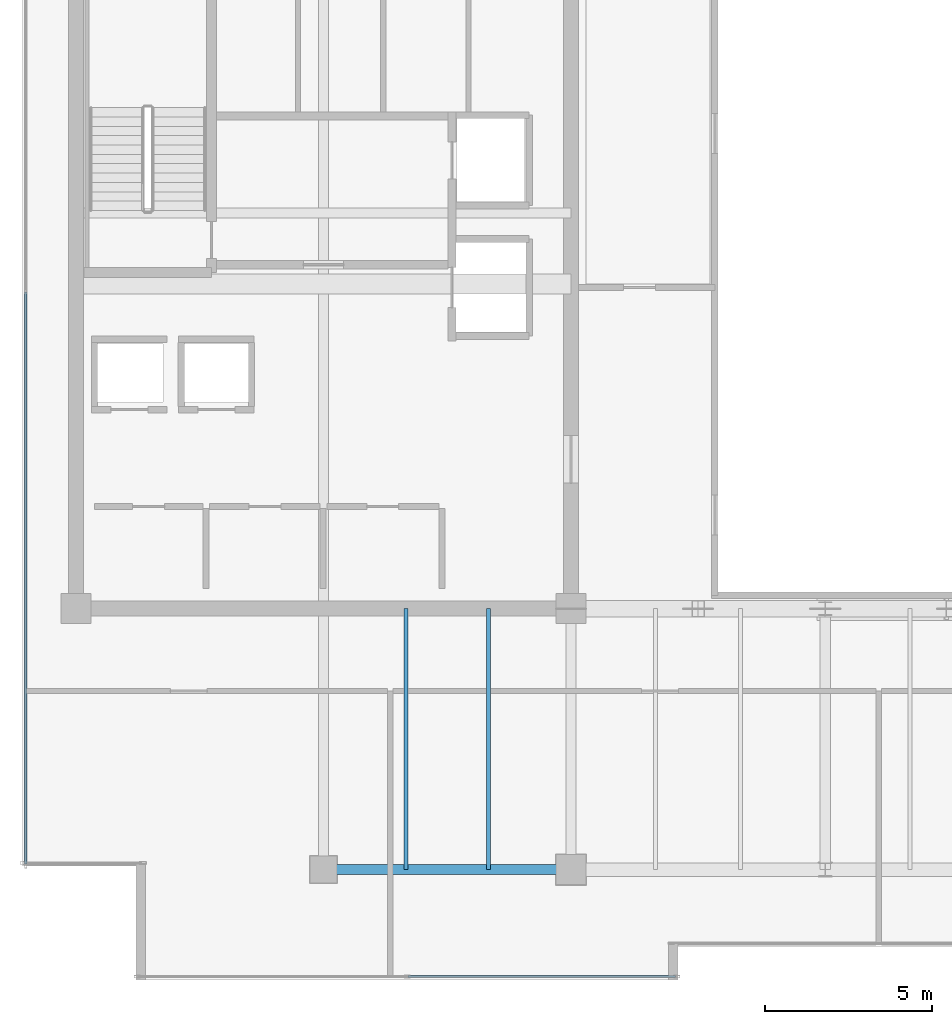
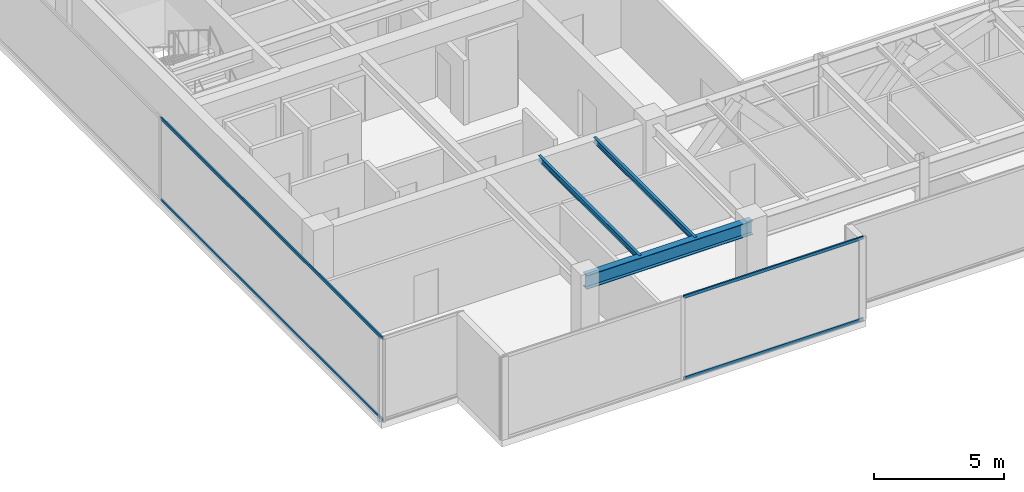
# One storey, part 5 of 32: 4 members, 3 beams, 2 elements without a shape of their own.
"""IFC4 building model written with IfcOpenShell, lengths in metres."""

import ifcopenshell
import ifcopenshell.guid

model = None  # the IFC model being written
_history = None  # IfcOwnerHistory: only IFC2X3 demands one
_inside = {}  # id of a spatial element -> (the spatial element, [elements in it])
_under = {}  # id of a project, library or spatial element -> (it, [spatial elements below it])
_declared = {}  # id of a project -> (the project, [libraries it declares])
_typed = {}  # id of a type object -> (the type object, [elements of that type])
_made_of = {}  # id of a material, layer set ... -> (it, [elements and type objects made of it])


def new_model(schema):
    """Start an empty IFC model of exactly this schema.

    Asked for "IFC4X3", IfcOpenShell would pick the latest addendum, in which some entities
    have other attributes; the version numbers below select the first issue.
    IFC2X3 requires an IfcOwnerHistory on every rooted entity: one is made here for all.
    """
    global model, _history
    if schema == "IFC4X3":
        model = ifcopenshell.file(schema_version=(4, 3, 0, 0))
    else:
        model = ifcopenshell.file(schema=schema)
    _inside.clear()
    _under.clear()
    _declared.clear()
    _typed.clear()
    _made_of.clear()
    _history = None
    if model.schema == "IFC2X3":
        org = make("IfcOrganization", Name="unknown")
        user = make(
            "IfcPersonAndOrganization",
            ThePerson=make("IfcPerson", FamilyName="unknown"),
            TheOrganization=org,
        )
        app = make(
            "IfcApplication",
            ApplicationDeveloper=org,
            Version="unknown",
            ApplicationFullName="unknown",
            ApplicationIdentifier="unknown",
        )
        _history = make(
            "IfcOwnerHistory",
            OwningUser=user,
            OwningApplication=app,
            ChangeAction="ADDED",
            CreationDate=0,
        )
    return model


def make(cls, **values):
    """One entity of the class cls with the attributes given. An attribute that is None is left unset."""
    return model.create_entity(
        cls, **{name: value for name, value in values.items() if value is not None}
    )


def rooted(cls, **values):
    """An entity with a GlobalId (a new one), such as an element, a storey or a relation."""
    return make(cls, GlobalId=ifcopenshell.guid.new(), OwnerHistory=_history, **values)


def si_unit(unit_type, name, prefix=None):
    """IfcSIUnit, for example si_unit("LENGTHUNIT", "METRE", prefix="MILLI")."""
    return make("IfcSIUnit", UnitType=unit_type, Prefix=prefix, Name=name)


def assignment(units):
    """IfcUnitAssignment: the units of a project."""
    return None if units is None else make("IfcUnitAssignment", Units=units)


def point(xyz):
    """IfcCartesianPoint."""
    return None if xyz is None else make("IfcCartesianPoint", Coordinates=xyz)


def direction(xyz):
    """IfcDirection."""
    return None if xyz is None else make("IfcDirection", DirectionRatios=xyz)


def frame(location, z_axis=None, x_axis=None):
    """IfcAxis2Placement3D, a coordinate frame: its origin and axes. An axis left out is left unset."""
    return make(
        "IfcAxis2Placement3D",
        Location=point(location),
        Axis=direction(z_axis),
        RefDirection=direction(x_axis),
    )


def frame_2d(location, x_axis=None):
    """IfcAxis2Placement2D, a coordinate frame in the plane: its origin and x axis."""
    return make(
        "IfcAxis2Placement2D", Location=point(location), RefDirection=direction(x_axis)
    )


def origin():
    """The frame at (0, 0, 0) with its axes left unset."""
    return frame((0.0, 0.0, 0.0))


def origin_2d():
    """The frame at (0, 0) in the plane with its x axis left unset."""
    return frame_2d((0.0, 0.0))


def place(relative_to, where):
    """IfcLocalPlacement: puts the frame where relative to a parent placement (None: the world)."""
    return make(
        "IfcLocalPlacement", PlacementRelTo=relative_to, RelativePlacement=where
    )


def context(
    kind, dimensions, precision=None, world=None, true_north=None, identifier=None
):
    """IfcGeometricRepresentationContext, for example the 3D "Model" context."""
    return make(
        "IfcGeometricRepresentationContext",
        ContextIdentifier=identifier,
        ContextType=kind,
        CoordinateSpaceDimension=dimensions,
        Precision=precision,
        WorldCoordinateSystem=world,
        TrueNorth=true_north,
    )


def subcontext(parent, identifier, kind, view, scale=None):
    """IfcGeometricRepresentationSubContext, for example "Body" below "Model"."""
    return make(
        "IfcGeometricRepresentationSubContext",
        ContextIdentifier=identifier,
        ContextType=kind,
        ParentContext=parent,
        TargetScale=scale,
        TargetView=view,
    )


def project(units=None, contexts=None):
    """IfcProject with its units and contexts."""
    return rooted(
        "IfcProject",
        Name="project",
        RepresentationContexts=contexts,
        UnitsInContext=assignment(units),
    )


def spatial(cls, under=None, at=None, **own):
    """A site, building, storey or space (cls), placed at a placement, below another one or the project."""
    s = rooted(cls, ObjectPlacement=at, **own)
    if under is not None:
        _under.setdefault(under.id(), (under, []))[1].append(s)
    return s


def profile(cls, at=None, kind="AREA", **sizes):
    """A parametric profile (cls). Its sizes go by their IFC names, for example OverallWidth=200.0."""
    return make(cls, ProfileType=kind, Position=at, **sizes)


def hollow_rectangle(**sizes):
    """IfcRectangleHollowProfileDef."""
    return profile("IfcRectangleHollowProfileDef", **sizes)


def i_section(**sizes):
    """IfcIShapeProfileDef."""
    return profile("IfcIShapeProfileDef", **sizes)


def extrude(swept, where, along, depth):
    """IfcExtrudedAreaSolid: the profile swept, set in the frame where, extruded along a direction by depth."""
    return make(
        "IfcExtrudedAreaSolid",
        SweptArea=swept,
        Position=where,
        ExtrudedDirection=direction(along),
        Depth=depth,
    )


def shape(context_of_items, identifier, shape_type, items):
    """IfcShapeRepresentation: the items that make up one representation, for example the "Body"."""
    return make(
        "IfcShapeRepresentation",
        ContextOfItems=context_of_items,
        RepresentationIdentifier=identifier,
        RepresentationType=shape_type,
        Items=items,
    )


def source(mapping_origin, context_of_items, identifier, shape_type, items):
    """IfcRepresentationMap: a shape defined once, which mapped items show again and again."""
    return make(
        "IfcRepresentationMap",
        MappingOrigin=mapping_origin,
        MappedRepresentation=shape(context_of_items, identifier, shape_type, items),
    )


def transform(
    local_origin,
    x_axis=None,
    y_axis=None,
    z_axis=None,
    scale=None,
    scale2=None,
    scale3=None,
    uniform=True,
):
    """IfcCartesianTransformationOperator3D, or its non-uniform kind. x_axis, y_axis, z_axis: its Axis1, 2, 3."""
    if uniform:
        return make(
            "IfcCartesianTransformationOperator3D",
            Axis1=direction(x_axis),
            Axis2=direction(y_axis),
            LocalOrigin=point(local_origin),
            Scale=scale,
            Axis3=direction(z_axis),
        )
    return make(
        "IfcCartesianTransformationOperator3DnonUniform",
        Axis1=direction(x_axis),
        Axis2=direction(y_axis),
        LocalOrigin=point(local_origin),
        Scale=scale,
        Axis3=direction(z_axis),
        Scale2=scale2,
        Scale3=scale3,
    )


def mapped(mapping_source, mapping_target):
    """IfcMappedItem: shows the shape of a source again, moved by a transform."""
    return make(
        "IfcMappedItem", MappingSource=mapping_source, MappingTarget=mapping_target
    )


def material(Name=None, Category=None):
    """IfcMaterial."""
    return make("IfcMaterial", Name=Name, Category=Category)


def layer(
    of_material, thickness, ventilated=None, Name=None, Category=None, Priority=None
):
    """IfcMaterialLayer: one layer of a wall or slab, of a material (None: an air gap)."""
    return make(
        "IfcMaterialLayer",
        Material=of_material,
        LayerThickness=thickness,
        IsVentilated=ventilated,
        Name=Name,
        Category=Category,
        Priority=Priority,
    )


def layer_set(layers, Name=None):
    """IfcMaterialLayerSet."""
    return make("IfcMaterialLayerSet", MaterialLayers=layers, LayerSetName=Name)


def material_profile(
    of_material, cross_section, Name=None, Category=None, Priority=None
):
    """IfcMaterialProfile: a cross section and its material."""
    return make(
        "IfcMaterialProfile",
        Name=Name,
        Material=of_material,
        Profile=cross_section,
        Priority=Priority,
        Category=Category,
    )


def profile_set(profiles, Name=None, composite=None):
    """IfcMaterialProfileSet."""
    return make(
        "IfcMaterialProfileSet",
        Name=Name,
        MaterialProfiles=profiles,
        CompositeProfile=composite,
    )


def made_of(thing, what):
    """Note that an element or type object is made of a material, layer set ...; save() writes the relation."""
    if what is not None:
        _made_of.setdefault(what.id(), (what, []))[1].append(thing)
    return thing


def type_object(cls, material=None, **own):
    """A type object (cls), such as IfcWallType, which elements share."""
    return made_of(rooted(cls, **own), material)


def type_shapes(of_type, sources):
    """Give a type object the sources (RepresentationMaps) that its elements show as mapped items."""
    of_type.RepresentationMaps = sources


def element(
    cls,
    number,
    at=None,
    inside=None,
    cuts=None,
    type_object=None,
    material=None,
    context=None,
    identifier="Body",
    shape_type=None,
    held_by="IfcProductDefinitionShape",
    body=None,
    shapes=None,
    **own,
):
    """One element of the class cls, such as IfcWall. Its Tag is "e" and its number.

    at: its placement. inside: the storey or other place that contains it. cuts: it is an
    opening in that element (IfcRelVoidsElement). A single representation is given by context,
    identifier, shape_type and body (its items); several are given by shapes. held_by: the class
    of the entity that holds the representations. save() writes the other relations.
    """
    e = rooted(cls, Tag="e%d" % number, ObjectPlacement=at, **own)
    if body is not None:
        shapes = [shape(context, identifier, shape_type, body)]
    if shapes is not None:
        e.Representation = make(held_by, Representations=shapes)
    if inside is not None:
        _inside.setdefault(inside.id(), (inside, []))[1].append(e)
    if cuts is not None:
        rooted(
            "IfcRelVoidsElement", RelatingBuildingElement=cuts, RelatedOpeningElement=e
        )
    if type_object is not None:
        _typed.setdefault(type_object.id(), (type_object, []))[1].append(e)
    return made_of(e, material)


def aggregate(whole, parts):
    """IfcRelAggregates: a whole, such as a stair, and the parts it consists of."""
    return rooted("IfcRelAggregates", RelatingObject=whole, RelatedObjects=parts)


def save(model, path):
    """Write the relations noted so far, then the file.

    IfcRelAggregates (storeys below a building ...), IfcRelContainedInSpatialStructure (elements
    in a storey), IfcRelDefinesByType, IfcRelAssociatesMaterial and IfcRelDeclares: one each for
    every whole, place, type object, material and project.
    """
    for whole, parts in _under.values():
        aggregate(whole, parts)
    for where, things in _inside.values():
        rooted(
            "IfcRelContainedInSpatialStructure",
            RelatedElements=things,
            RelatingStructure=where,
        )
    for kind, things in _typed.values():
        rooted("IfcRelDefinesByType", RelatedObjects=things, RelatingType=kind)
    for what, things in _made_of.values():
        rooted("IfcRelAssociatesMaterial", RelatedObjects=things, RelatingMaterial=what)
    for by, libraries in _declared.values():
        rooted("IfcRelDeclares", RelatingContext=by, RelatedDefinitions=libraries)
    model.write(path)


model = new_model("IFC4")

# Units and contexts
model_context = context("Model", 3, precision=1e-05, world=origin(), true_north=direction((0.0, 1.0)))
body_context = subcontext(model_context, "Body", "Model", "MODEL_VIEW")
ifc_project = project(units=[si_unit("LENGTHUNIT", "METRE"), si_unit("AREAUNIT", "SQUARE_METRE"), si_unit("VOLUMEUNIT", "CUBIC_METRE"), si_unit("PLANEANGLEUNIT", "RADIAN"), si_unit("MASSUNIT", "GRAM", prefix="KILO")], contexts=[model_context])

# Site, building, storey
site_placement = place(None, origin())
site = spatial("IfcSite", under=ifc_project, at=site_placement, CompositionType="ELEMENT")
building_placement = place(site_placement, origin())
building = spatial("IfcBuilding", under=site, at=building_placement, Name="Haelvirn Gate Laboratories", CompositionType="ELEMENT")
storey_placement = place(building_placement, frame((0.0, 0.0, 314.39990234375)))
storey = spatial("IfcBuildingStorey", under=building, at=storey_placement, Name="L75", CompositionType="ELEMENT", Elevation=314.39990234375)

# Beams
ifc_material_1 = material(Name="Steel SM355", Category="steel")
ifc_material_profile_1 = material_profile(ifc_material_1, i_section(OverallWidth=0.300048828125, OverallDepth=0.64990234375, WebThickness=0.012939453125, FlangeThickness=0.02197265625, at=origin_2d()), Name="H-650x300x13x22")
ifc_profile_set_1 = profile_set([ifc_material_profile_1], Name="Steel SM355")
beam_type_1 = type_object("IfcBeamType", Name="BM-G-650", PredefinedType="BEAM", material=ifc_profile_set_1)
shared_shape_1 = source(origin(), body_context, "Body", "SweptSolid", [
    extrude(i_section(OverallWidth=0.300048828125, OverallDepth=0.64990234375, WebThickness=0.012939453125, FlangeThickness=0.02197265625, at=origin_2d()), origin(), (0.0, 0.0, 1.0), 7.39990234375),
])
type_shapes(beam_type_1, [shared_shape_1])
beam_placement = place(storey_placement, frame((14.800048828125, 7.0, 3.5751953125), z_axis=(1.0, 0.0, 0.0), x_axis=(0.0, 1.0, 0.0)))
element("IfcBeam", 1, at=beam_placement, inside=storey, type_object=beam_type_1, Name="L75 Primary Girder Y7.0 (14.8-22.2)", PredefinedType="BEAM", context=body_context, shape_type="MappedRepresentation", body=[
    mapped(shared_shape_1, transform((0.0, 0.0, 0.0), scale=1.0)),
])
ifc_material_profile_2 = material_profile(ifc_material_1, i_section(OverallWidth=0.125, OverallDepth=0.25, WebThickness=0.006103515625, FlangeThickness=0.009033203125, at=origin_2d()), Name="H-250x125x6x9")
ifc_profile_set_2 = profile_set([ifc_material_profile_2], Name="Steel SM355")
beam_type_2 = type_object("IfcBeamType", Name="BM-J-250", PredefinedType="JOIST", material=ifc_profile_set_2)
shared_shape_2 = source(origin(), body_context, "Body", "SweptSolid", [
    extrude(i_section(OverallWidth=0.125, OverallDepth=0.25, WebThickness=0.006103515625, FlangeThickness=0.009033203125, at=origin_2d()), origin(), (0.0, 0.0, 1.0), 7.800048828125),
])
type_shapes(beam_type_2, [shared_shape_2])
for number, where, z_axis, x_axis, name in (
    (2, (17.27001953125, 7.0, 3.775146484375), (0.0, 1.0, 0.0), (-1.0, 0.0, 0.0), "L75 Composite Lab Joist South X17.27"),
    (3, (19.72998046875, 7.0, 3.775146484375), (0.0, 1.0, 0.0), (-1.0, 0.0, 0.0), "L75 Composite Lab Joist South X19.73"),
):
    element("IfcBeam", number, at=place(storey_placement, frame(where, z_axis=z_axis, x_axis=x_axis)), inside=storey, type_object=beam_type_2, Name=name, PredefinedType="JOIST", context=body_context, shape_type="MappedRepresentation", body=[
        mapped(shared_shape_2, transform((0.0, 0.0, 0.0), scale=1.0)),
    ])

# Curtain wall, members
ifc_material_2 = material(Name="Anodised bronze unitised aluminium & triple low-E glass", Category="aluminium")
ifc_layer = layer(ifc_material_2, 0.176025390625, Name="CW-SYS-4")
ifc_layer_set = layer_set([ifc_layer], Name="Anodised bronze unitised aluminium & triple low-E glass")
curtain_wall_type = type_object("IfcCurtainWallType", Name="CW-SYS-4", PredefinedType="NOTDEFINED", material=ifc_layer_set)
curtain_wall_1_placement = place(storey_placement, origin())
curtain_wall_1 = element("IfcCurtainWall", 4, at=curtain_wall_1_placement, inside=storey, type_object=curtain_wall_type, Name="L75 Unitised Curtain Wall CW-L75-P0-E17", PredefinedType="NOTDEFINED")
ifc_material_3 = material(Name="Extruded aluminium 6063-T6 (anodised bronze)", Category="aluminium")
ifc_material_profile_3 = material_profile(ifc_material_3, hollow_rectangle(XDim=0.06494140625, YDim=0.139892578125, WallThickness=0.00390625, at=origin_2d()), Name="CWT-140x65x4")
ifc_profile_set_3 = profile_set([ifc_material_profile_3], Name="Extruded aluminium 6063-T6 (anodised bronze)")
member_type = type_object("IfcMemberType", Name="CWT-T140", PredefinedType="USERDEFINED", material=ifc_profile_set_3)
shared_shape_3 = source(origin(), body_context, "Body", "SweptSolid", [
    extrude(hollow_rectangle(XDim=0.06494140625, YDim=0.139892578125, WallThickness=0.00390625, at=origin_2d()), origin(), (0.0, 0.0, 1.0), 17.094970703125),
])
member_1_placement = place(storey_placement, frame((5.89990234375, 24.264892578125, 0.03271484375), z_axis=(0.0, -1.0, 0.0), x_axis=(1.0, 0.0, 0.0)))
member_1 = element("IfcMember", 5, at=member_1_placement, type_object=member_type, Name="CW4 transom 2.1", ObjectType="TRANSOM", PredefinedType="USERDEFINED", context=body_context, shape_type="MappedRepresentation", body=[
    mapped(shared_shape_3, transform((0.0, 0.0, 0.0), scale=1.0)),
])
member_2_placement = place(storey_placement, frame((5.89990234375, 24.264892578125, 3.86767578125), z_axis=(0.0, -1.0, 0.0), x_axis=(1.0, 0.0, 0.0)))
member_2 = element("IfcMember", 6, at=member_2_placement, type_object=member_type, Name="CW4 transom 2.2", ObjectType="TRANSOM", PredefinedType="USERDEFINED", context=body_context, shape_type="MappedRepresentation", body=[
    mapped(shared_shape_3, transform((0.0, 0.0, 0.0), scale=1.0)),
])
aggregate(curtain_wall_1, [member_1, member_2])

curtain_wall_2_placement = place(storey_placement, origin())
curtain_wall_2 = element("IfcCurtainWall", 7, at=curtain_wall_2_placement, inside=storey, type_object=curtain_wall_type, Name="L75 Unitised Curtain Wall CW-L75-P0-E00-1", PredefinedType="NOTDEFINED")
shared_shape_4 = source(origin(), body_context, "Body", "SweptSolid", [
    extrude(hollow_rectangle(XDim=0.06494140625, YDim=0.139892578125, WallThickness=0.00390625, at=origin_2d()), origin(), (0.0, 0.0, 1.0), 7.9951171875),
])
type_shapes(member_type, [shared_shape_3, shared_shape_4])
member_3_placement = place(storey_placement, frame((17.3349609375, 3.800048828125, 0.03271484375), z_axis=(1.0, 0.0, 0.0), x_axis=(0.0, 1.0, 0.0)))
member_3 = element("IfcMember", 8, at=member_3_placement, type_object=member_type, Name="CW4 transom 2.1", ObjectType="TRANSOM", PredefinedType="USERDEFINED", context=body_context, shape_type="MappedRepresentation", body=[
    mapped(shared_shape_4, transform((0.0, 0.0, 0.0), scale=1.0)),
])
member_4_placement = place(storey_placement, frame((17.3349609375, 3.800048828125, 3.86767578125), z_axis=(1.0, 0.0, 0.0), x_axis=(0.0, 1.0, 0.0)))
member_4 = element("IfcMember", 9, at=member_4_placement, type_object=member_type, Name="CW4 transom 2.2", ObjectType="TRANSOM", PredefinedType="USERDEFINED", context=body_context, shape_type="MappedRepresentation", body=[
    mapped(shared_shape_4, transform((0.0, 0.0, 0.0), scale=1.0)),
])
aggregate(curtain_wall_2, [member_3, member_4])

save(model, "model.ifc")
